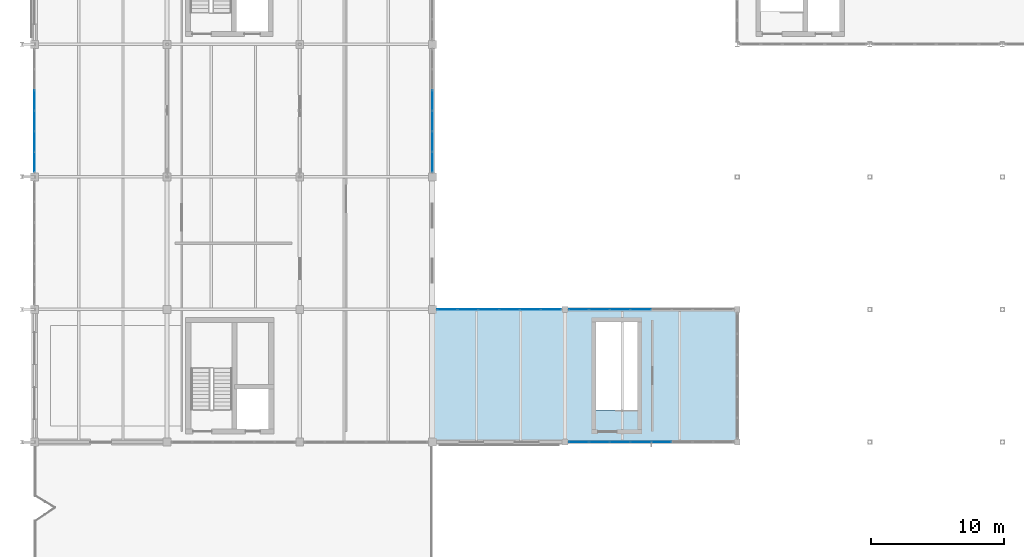
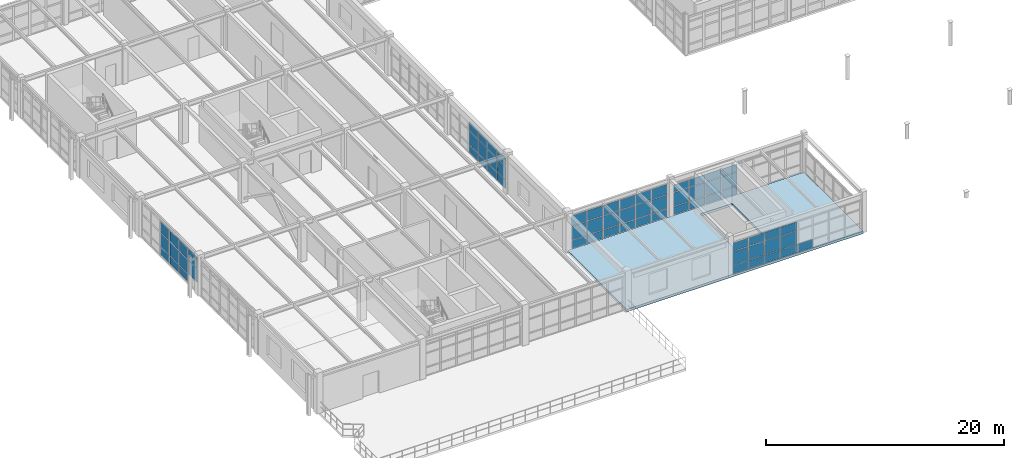
# One storey, part 74 of 122: 66 plates, 1 slab, 5 elements without a shape of their own.
"""IFC4 building model written with IfcOpenShell, lengths in metres."""

import ifcopenshell
import ifcopenshell.guid

model = None  # the IFC model being written
_history = None  # IfcOwnerHistory: only IFC2X3 demands one
_inside = {}  # id of a spatial element -> (the spatial element, [elements in it])
_under = {}  # id of a project, library or spatial element -> (it, [spatial elements below it])
_declared = {}  # id of a project -> (the project, [libraries it declares])
_typed = {}  # id of a type object -> (the type object, [elements of that type])
_made_of = {}  # id of a material, layer set ... -> (it, [elements and type objects made of it])


def new_model(schema):
    """Start an empty IFC model of exactly this schema.

    Asked for "IFC4X3", IfcOpenShell would pick the latest addendum, in which some entities
    have other attributes; the version numbers below select the first issue.
    IFC2X3 requires an IfcOwnerHistory on every rooted entity: one is made here for all.
    """
    global model, _history
    if schema == "IFC4X3":
        model = ifcopenshell.file(schema_version=(4, 3, 0, 0))
    else:
        model = ifcopenshell.file(schema=schema)
    _inside.clear()
    _under.clear()
    _declared.clear()
    _typed.clear()
    _made_of.clear()
    _history = None
    if model.schema == "IFC2X3":
        org = make("IfcOrganization", Name="unknown")
        user = make(
            "IfcPersonAndOrganization",
            ThePerson=make("IfcPerson", FamilyName="unknown"),
            TheOrganization=org,
        )
        app = make(
            "IfcApplication",
            ApplicationDeveloper=org,
            Version="unknown",
            ApplicationFullName="unknown",
            ApplicationIdentifier="unknown",
        )
        _history = make(
            "IfcOwnerHistory",
            OwningUser=user,
            OwningApplication=app,
            ChangeAction="ADDED",
            CreationDate=0,
        )
    return model


def make(cls, **values):
    """One entity of the class cls with the attributes given. An attribute that is None is left unset."""
    return model.create_entity(
        cls, **{name: value for name, value in values.items() if value is not None}
    )


def rooted(cls, **values):
    """An entity with a GlobalId (a new one), such as an element, a storey or a relation."""
    return make(cls, GlobalId=ifcopenshell.guid.new(), OwnerHistory=_history, **values)


def si_unit(unit_type, name, prefix=None):
    """IfcSIUnit, for example si_unit("LENGTHUNIT", "METRE", prefix="MILLI")."""
    return make("IfcSIUnit", UnitType=unit_type, Prefix=prefix, Name=name)


def assignment(units):
    """IfcUnitAssignment: the units of a project."""
    return None if units is None else make("IfcUnitAssignment", Units=units)


def point(xyz):
    """IfcCartesianPoint."""
    return None if xyz is None else make("IfcCartesianPoint", Coordinates=xyz)


def direction(xyz):
    """IfcDirection."""
    return None if xyz is None else make("IfcDirection", DirectionRatios=xyz)


def frame(location, z_axis=None, x_axis=None):
    """IfcAxis2Placement3D, a coordinate frame: its origin and axes. An axis left out is left unset."""
    return make(
        "IfcAxis2Placement3D",
        Location=point(location),
        Axis=direction(z_axis),
        RefDirection=direction(x_axis),
    )


def frame_2d(location, x_axis=None):
    """IfcAxis2Placement2D, a coordinate frame in the plane: its origin and x axis."""
    return make(
        "IfcAxis2Placement2D", Location=point(location), RefDirection=direction(x_axis)
    )


def origin():
    """The frame at (0, 0, 0) with its axes left unset."""
    return frame((0.0, 0.0, 0.0))


def origin_2d():
    """The frame at (0, 0) in the plane with its x axis left unset."""
    return frame_2d((0.0, 0.0))


def place(relative_to, where):
    """IfcLocalPlacement: puts the frame where relative to a parent placement (None: the world)."""
    return make(
        "IfcLocalPlacement", PlacementRelTo=relative_to, RelativePlacement=where
    )


def context(
    kind, dimensions, precision=None, world=None, true_north=None, identifier=None
):
    """IfcGeometricRepresentationContext, for example the 3D "Model" context."""
    return make(
        "IfcGeometricRepresentationContext",
        ContextIdentifier=identifier,
        ContextType=kind,
        CoordinateSpaceDimension=dimensions,
        Precision=precision,
        WorldCoordinateSystem=world,
        TrueNorth=true_north,
    )


def subcontext(parent, identifier, kind, view, scale=None):
    """IfcGeometricRepresentationSubContext, for example "Body" below "Model"."""
    return make(
        "IfcGeometricRepresentationSubContext",
        ContextIdentifier=identifier,
        ContextType=kind,
        ParentContext=parent,
        TargetScale=scale,
        TargetView=view,
    )


def project(units=None, contexts=None):
    """IfcProject with its units and contexts."""
    return rooted(
        "IfcProject",
        Name="project",
        RepresentationContexts=contexts,
        UnitsInContext=assignment(units),
    )


def spatial(cls, under=None, at=None, **own):
    """A site, building, storey or space (cls), placed at a placement, below another one or the project."""
    s = rooted(cls, ObjectPlacement=at, **own)
    if under is not None:
        _under.setdefault(under.id(), (under, []))[1].append(s)
    return s


def polyline(points):
    """IfcPolyline through the points."""
    return make("IfcPolyline", Points=[point(p) for p in points])


def profile(cls, at=None, kind="AREA", **sizes):
    """A parametric profile (cls). Its sizes go by their IFC names, for example OverallWidth=200.0."""
    return make(cls, ProfileType=kind, Position=at, **sizes)


def rectangle(**sizes):
    """IfcRectangleProfileDef."""
    return profile("IfcRectangleProfileDef", **sizes)


def outline(outer, holes=None, kind="AREA"):
    """IfcArbitraryClosedProfileDef: a profile drawn as a closed curve; with holes, ...WithVoids."""
    if holes is None:
        return make("IfcArbitraryClosedProfileDef", ProfileType=kind, OuterCurve=outer)
    return make(
        "IfcArbitraryProfileDefWithVoids",
        ProfileType=kind,
        OuterCurve=outer,
        InnerCurves=holes,
    )


def extrude(swept, where, along, depth):
    """IfcExtrudedAreaSolid: the profile swept, set in the frame where, extruded along a direction by depth."""
    return make(
        "IfcExtrudedAreaSolid",
        SweptArea=swept,
        Position=where,
        ExtrudedDirection=direction(along),
        Depth=depth,
    )


def shape(context_of_items, identifier, shape_type, items):
    """IfcShapeRepresentation: the items that make up one representation, for example the "Body"."""
    return make(
        "IfcShapeRepresentation",
        ContextOfItems=context_of_items,
        RepresentationIdentifier=identifier,
        RepresentationType=shape_type,
        Items=items,
    )


def material(Name=None, Category=None):
    """IfcMaterial."""
    return make("IfcMaterial", Name=Name, Category=Category)


def layer(
    of_material, thickness, ventilated=None, Name=None, Category=None, Priority=None
):
    """IfcMaterialLayer: one layer of a wall or slab, of a material (None: an air gap)."""
    return make(
        "IfcMaterialLayer",
        Material=of_material,
        LayerThickness=thickness,
        IsVentilated=ventilated,
        Name=Name,
        Category=Category,
        Priority=Priority,
    )


def layer_set(layers, Name=None):
    """IfcMaterialLayerSet."""
    return make("IfcMaterialLayerSet", MaterialLayers=layers, LayerSetName=Name)


def made_of(thing, what):
    """Note that an element or type object is made of a material, layer set ...; save() writes the relation."""
    if what is not None:
        _made_of.setdefault(what.id(), (what, []))[1].append(thing)
    return thing


def type_object(cls, material=None, **own):
    """A type object (cls), such as IfcWallType, which elements share."""
    return made_of(rooted(cls, **own), material)


def element(
    cls,
    number,
    at=None,
    inside=None,
    cuts=None,
    type_object=None,
    material=None,
    context=None,
    identifier="Body",
    shape_type=None,
    held_by="IfcProductDefinitionShape",
    body=None,
    shapes=None,
    **own,
):
    """One element of the class cls, such as IfcWall. Its Tag is "e" and its number.

    at: its placement. inside: the storey or other place that contains it. cuts: it is an
    opening in that element (IfcRelVoidsElement). A single representation is given by context,
    identifier, shape_type and body (its items); several are given by shapes. held_by: the class
    of the entity that holds the representations. save() writes the other relations.
    """
    e = rooted(cls, Tag="e%d" % number, ObjectPlacement=at, **own)
    if body is not None:
        shapes = [shape(context, identifier, shape_type, body)]
    if shapes is not None:
        e.Representation = make(held_by, Representations=shapes)
    if inside is not None:
        _inside.setdefault(inside.id(), (inside, []))[1].append(e)
    if cuts is not None:
        rooted(
            "IfcRelVoidsElement", RelatingBuildingElement=cuts, RelatedOpeningElement=e
        )
    if type_object is not None:
        _typed.setdefault(type_object.id(), (type_object, []))[1].append(e)
    return made_of(e, material)


def aggregate(whole, parts):
    """IfcRelAggregates: a whole, such as a stair, and the parts it consists of."""
    return rooted("IfcRelAggregates", RelatingObject=whole, RelatedObjects=parts)


def save(model, path):
    """Write the relations noted so far, then the file.

    IfcRelAggregates (storeys below a building ...), IfcRelContainedInSpatialStructure (elements
    in a storey), IfcRelDefinesByType, IfcRelAssociatesMaterial and IfcRelDeclares: one each for
    every whole, place, type object, material and project.
    """
    for whole, parts in _under.values():
        aggregate(whole, parts)
    for where, things in _inside.values():
        rooted(
            "IfcRelContainedInSpatialStructure",
            RelatedElements=things,
            RelatingStructure=where,
        )
    for kind, things in _typed.values():
        rooted("IfcRelDefinesByType", RelatedObjects=things, RelatingType=kind)
    for what, things in _made_of.values():
        rooted("IfcRelAssociatesMaterial", RelatedObjects=things, RelatingMaterial=what)
    for by, libraries in _declared.values():
        rooted("IfcRelDeclares", RelatingContext=by, RelatedDefinitions=libraries)
    model.write(path)


model = new_model("IFC4")

# Units and contexts
model_context = context("Model", 3, precision=1e-05, world=origin(), true_north=direction((0.0, 1.0)))
body_context = subcontext(model_context, "Body", "Model", "MODEL_VIEW")
ifc_project = project(units=[si_unit("LENGTHUNIT", "METRE"), si_unit("AREAUNIT", "SQUARE_METRE"), si_unit("VOLUMEUNIT", "CUBIC_METRE"), si_unit("PLANEANGLEUNIT", "RADIAN"), si_unit("MASSUNIT", "GRAM", prefix="KILO"), si_unit("THERMODYNAMICTEMPERATUREUNIT", "KELVIN"), si_unit("POWERUNIT", "WATT")], contexts=[model_context])

# Site, building, storey
site_placement = place(None, origin())
site = spatial("IfcSite", under=ifc_project, at=site_placement, CompositionType="ELEMENT")
building_placement = place(site_placement, origin())
building = spatial("IfcBuilding", under=site, at=building_placement, Name="Korenveer Ferry Terminal", CompositionType="ELEMENT")
storey_placement = place(building_placement, frame((0.0, 0.0, 10.199951171875)))
storey = spatial("IfcBuildingStorey", under=building, at=storey_placement, Name="L02", CompositionType="ELEMENT", Elevation=10.199951171875)

# Curtain wall, plates
ifc_material_1 = material(Name="Unitised bronze-and-glass curtain wall", Category="glass")
ifc_layer_1 = layer(ifc_material_1, 0.159912109375)
ifc_layer_set_1 = layer_set([ifc_layer_1], Name="Unitised bronze-and-glass curtain wall")
curtain_wall_type_1 = type_object("IfcCurtainWallType", Name="ENV-CW-84", PredefinedType="USERDEFINED", material=ifc_layer_set_1)
curtain_wall_1_placement = place(storey_placement, frame((40.2548828125, 20.0, 0.0)))
curtain_wall_1 = element("IfcCurtainWall", 1, at=curtain_wall_1_placement, inside=storey, type_object=curtain_wall_type_1, Name="Lancet curtain wall CWX-L02-X40-53-Y20-20", ObjectType="UNITISED CURTAIN WALL", PredefinedType="USERDEFINED")
ifc_material_2 = material(Name="Low-iron solar-control double glazing", Category="glass")
ifc_layer_2 = layer(ifc_material_2, 0.028076171875)
ifc_layer_set_2 = layer_set([ifc_layer_2], Name="Low-iron solar-control double glazing")
plate_type = type_object("IfcPlateType", Name="ENV-CWP-GLZ28", PredefinedType="CURTAIN_PANEL", material=ifc_layer_set_2)
plate_1_placement = place(storey_placement, frame((41.050537109375, 20.0, 0.06005859375), z_axis=(0.0, 0.0, 1.0), x_axis=(1.0, 0.0, 0.0)))
plate_1 = element("IfcPlate", 2, at=plate_1_placement, type_object=plate_type, Name="CW-84 panel 1.1", PredefinedType="CURTAIN_PANEL", context=body_context, shape_type="SweptSolid", body=[
    extrude(rectangle(XDim=1.47119140625, YDim=0.028076171875, at=origin_2d()), origin(), (0.0, 0.0, 1.0), 0.81005859375),
])
plate_2_placement = place(storey_placement, frame((41.050537109375, 20.0, 0.93017578125), z_axis=(0.0, 0.0, 1.0), x_axis=(1.0, 0.0, 0.0)))
plate_2 = element("IfcPlate", 3, at=plate_2_placement, type_object=plate_type, Name="CW-84 panel 1.2", PredefinedType="CURTAIN_PANEL", context=body_context, shape_type="SweptSolid", body=[
    extrude(rectangle(XDim=1.47119140625, YDim=0.028076171875, at=origin_2d()), origin(), (0.0, 0.0, 1.0), 1.389892578125),
])
plate_3_placement = place(storey_placement, frame((41.050537109375, 20.0, 2.3798828125), z_axis=(0.0, 0.0, 1.0), x_axis=(1.0, 0.0, 0.0)))
plate_3 = element("IfcPlate", 4, at=plate_3_placement, type_object=plate_type, Name="CW-84 panel 1.3", PredefinedType="CURTAIN_PANEL", context=body_context, shape_type="SweptSolid", body=[
    extrude(rectangle(XDim=1.47119140625, YDim=0.028076171875, at=origin_2d()), origin(), (0.0, 0.0, 1.0), 0.840087890625),
])
plate_4_placement = place(storey_placement, frame((42.596923828125, 20.0, 0.06005859375), z_axis=(0.0, 0.0, 1.0), x_axis=(1.0, 0.0, 0.0)))
plate_4 = element("IfcPlate", 5, at=plate_4_placement, type_object=plate_type, Name="CW-84 panel 2.1", PredefinedType="CURTAIN_PANEL", context=body_context, shape_type="SweptSolid", body=[
    extrude(rectangle(XDim=1.501220703125, YDim=0.028076171875, at=origin_2d()), origin(), (0.0, 0.0, 1.0), 0.81005859375),
])
plate_5_placement = place(storey_placement, frame((42.596923828125, 20.0, 0.93017578125), z_axis=(0.0, 0.0, 1.0), x_axis=(1.0, 0.0, 0.0)))
plate_5 = element("IfcPlate", 6, at=plate_5_placement, type_object=plate_type, Name="CW-84 panel 2.2", PredefinedType="CURTAIN_PANEL", context=body_context, shape_type="SweptSolid", body=[
    extrude(rectangle(XDim=1.501220703125, YDim=0.028076171875, at=origin_2d()), origin(), (0.0, 0.0, 1.0), 1.389892578125),
])
plate_6_placement = place(storey_placement, frame((42.596923828125, 20.0, 2.3798828125), z_axis=(0.0, 0.0, 1.0), x_axis=(1.0, 0.0, 0.0)))
plate_6 = element("IfcPlate", 7, at=plate_6_placement, type_object=plate_type, Name="CW-84 panel 2.3", PredefinedType="CURTAIN_PANEL", context=body_context, shape_type="SweptSolid", body=[
    extrude(rectangle(XDim=1.501220703125, YDim=0.028076171875, at=origin_2d()), origin(), (0.0, 0.0, 1.0), 0.840087890625),
])
plate_7_placement = place(storey_placement, frame((44.158203125, 20.0, 0.06005859375), z_axis=(0.0, 0.0, 1.0), x_axis=(1.0, 0.0, 0.0)))
plate_7 = element("IfcPlate", 8, at=plate_7_placement, type_object=plate_type, Name="CW-84 panel 3.1", PredefinedType="CURTAIN_PANEL", context=body_context, shape_type="SweptSolid", body=[
    extrude(rectangle(XDim=1.501220703125, YDim=0.028076171875, at=origin_2d()), origin(), (0.0, 0.0, 1.0), 0.81005859375),
])
plate_8_placement = place(storey_placement, frame((44.158203125, 20.0, 0.93017578125), z_axis=(0.0, 0.0, 1.0), x_axis=(1.0, 0.0, 0.0)))
plate_8 = element("IfcPlate", 9, at=plate_8_placement, type_object=plate_type, Name="CW-84 panel 3.2", PredefinedType="CURTAIN_PANEL", context=body_context, shape_type="SweptSolid", body=[
    extrude(rectangle(XDim=1.501220703125, YDim=0.028076171875, at=origin_2d()), origin(), (0.0, 0.0, 1.0), 1.389892578125),
])
plate_9_placement = place(storey_placement, frame((44.158203125, 20.0, 2.3798828125), z_axis=(0.0, 0.0, 1.0), x_axis=(1.0, 0.0, 0.0)))
plate_9 = element("IfcPlate", 10, at=plate_9_placement, type_object=plate_type, Name="CW-84 panel 3.3", PredefinedType="CURTAIN_PANEL", context=body_context, shape_type="SweptSolid", body=[
    extrude(rectangle(XDim=1.501220703125, YDim=0.028076171875, at=origin_2d()), origin(), (0.0, 0.0, 1.0), 0.840087890625),
])
plate_10_placement = place(storey_placement, frame((45.719482421875, 20.0, 0.06005859375), z_axis=(0.0, 0.0, 1.0), x_axis=(1.0, 0.0, 0.0)))
plate_10 = element("IfcPlate", 11, at=plate_10_placement, type_object=plate_type, Name="CW-84 panel 4.1", PredefinedType="CURTAIN_PANEL", context=body_context, shape_type="SweptSolid", body=[
    extrude(rectangle(XDim=1.501220703125, YDim=0.028076171875, at=origin_2d()), origin(), (0.0, 0.0, 1.0), 0.81005859375),
])
plate_11_placement = place(storey_placement, frame((45.719482421875, 20.0, 0.93017578125), z_axis=(0.0, 0.0, 1.0), x_axis=(1.0, 0.0, 0.0)))
plate_11 = element("IfcPlate", 12, at=plate_11_placement, type_object=plate_type, Name="CW-84 panel 4.2", PredefinedType="CURTAIN_PANEL", context=body_context, shape_type="SweptSolid", body=[
    extrude(rectangle(XDim=1.501220703125, YDim=0.028076171875, at=origin_2d()), origin(), (0.0, 0.0, 1.0), 1.389892578125),
])
plate_12_placement = place(storey_placement, frame((45.719482421875, 20.0, 2.3798828125), z_axis=(0.0, 0.0, 1.0), x_axis=(1.0, 0.0, 0.0)))
plate_12 = element("IfcPlate", 13, at=plate_12_placement, type_object=plate_type, Name="CW-84 panel 4.3", PredefinedType="CURTAIN_PANEL", context=body_context, shape_type="SweptSolid", body=[
    extrude(rectangle(XDim=1.501220703125, YDim=0.028076171875, at=origin_2d()), origin(), (0.0, 0.0, 1.0), 0.840087890625),
])
plate_13_placement = place(storey_placement, frame((47.280517578125, 20.0, 0.06005859375), z_axis=(0.0, 0.0, 1.0), x_axis=(1.0, 0.0, 0.0)))
plate_13 = element("IfcPlate", 14, at=plate_13_placement, type_object=plate_type, Name="CW-84 panel 5.1", PredefinedType="CURTAIN_PANEL", context=body_context, shape_type="SweptSolid", body=[
    extrude(rectangle(XDim=1.501220703125, YDim=0.028076171875, at=origin_2d()), origin(), (0.0, 0.0, 1.0), 0.81005859375),
])
aggregate(curtain_wall_1, [plate_1, plate_2, plate_3, plate_4, plate_5, plate_6, plate_7, plate_8, plate_9, plate_10, plate_11, plate_12, plate_13])

ifc_layer_3 = layer(ifc_material_1, 0.159912109375)
ifc_layer_set_3 = layer_set([ifc_layer_3], Name="Unitised bronze-and-glass curtain wall")
curtain_wall_type_2 = type_object("IfcCurtainWallType", Name="ENV-CW-88", PredefinedType="USERDEFINED", material=ifc_layer_set_3)
curtain_wall_2_placement = place(storey_placement, frame((30.330078125, 30.0, 0.0)))
curtain_wall_2 = element("IfcCurtainWall", 15, at=curtain_wall_2_placement, inside=storey, type_object=curtain_wall_type_2, Name="Lancet curtain wall CWX-L02-X30-40-Y30-30", ObjectType="UNITISED CURTAIN WALL", PredefinedType="USERDEFINED")
plate_14_placement = place(storey_placement, frame((31.129638671875, 30.0, 0.06005859375), z_axis=(0.0, 0.0, 1.0), x_axis=(1.0, 0.0, 0.0)))
plate_14 = element("IfcPlate", 16, at=plate_14_placement, type_object=plate_type, Name="CW-88 panel 1.1", PredefinedType="CURTAIN_PANEL", context=body_context, shape_type="SweptSolid", body=[
    extrude(rectangle(XDim=1.479248046875, YDim=0.028076171875, at=origin_2d()), origin(), (0.0, 0.0, 1.0), 0.81005859375),
])
plate_15_placement = place(storey_placement, frame((31.129638671875, 30.0, 0.93017578125), z_axis=(0.0, 0.0, 1.0), x_axis=(1.0, 0.0, 0.0)))
plate_15 = element("IfcPlate", 17, at=plate_15_placement, type_object=plate_type, Name="CW-88 panel 1.2", PredefinedType="CURTAIN_PANEL", context=body_context, shape_type="SweptSolid", body=[
    extrude(rectangle(XDim=1.479248046875, YDim=0.028076171875, at=origin_2d()), origin(), (0.0, 0.0, 1.0), 1.389892578125),
])
plate_16_placement = place(storey_placement, frame((31.129638671875, 30.0, 2.380126953125), z_axis=(0.0, 0.0, 1.0), x_axis=(1.0, 0.0, 0.0)))
plate_16 = element("IfcPlate", 18, at=plate_16_placement, type_object=plate_type, Name="CW-88 panel 1.3", PredefinedType="CURTAIN_PANEL", context=body_context, shape_type="SweptSolid", body=[
    extrude(rectangle(XDim=1.479248046875, YDim=0.028076171875, at=origin_2d()), origin(), (0.0, 0.0, 1.0), 1.0400390625),
])
plate_17_placement = place(storey_placement, frame((32.683837890625, 30.0, 0.06005859375), z_axis=(0.0, 0.0, 1.0), x_axis=(1.0, 0.0, 0.0)))
plate_17 = element("IfcPlate", 19, at=plate_17_placement, type_object=plate_type, Name="CW-88 panel 2.1", PredefinedType="CURTAIN_PANEL", context=body_context, shape_type="SweptSolid", body=[
    extrude(rectangle(XDim=1.50927734375, YDim=0.028076171875, at=origin_2d()), origin(), (0.0, 0.0, 1.0), 0.81005859375),
])
plate_18_placement = place(storey_placement, frame((32.683837890625, 30.0, 0.93017578125), z_axis=(0.0, 0.0, 1.0), x_axis=(1.0, 0.0, 0.0)))
plate_18 = element("IfcPlate", 20, at=plate_18_placement, type_object=plate_type, Name="CW-88 panel 2.2", PredefinedType="CURTAIN_PANEL", context=body_context, shape_type="SweptSolid", body=[
    extrude(rectangle(XDim=1.50927734375, YDim=0.028076171875, at=origin_2d()), origin(), (0.0, 0.0, 1.0), 1.389892578125),
])
plate_19_placement = place(storey_placement, frame((32.683837890625, 30.0, 2.380126953125), z_axis=(0.0, 0.0, 1.0), x_axis=(1.0, 0.0, 0.0)))
plate_19 = element("IfcPlate", 21, at=plate_19_placement, type_object=plate_type, Name="CW-88 panel 2.3", PredefinedType="CURTAIN_PANEL", context=body_context, shape_type="SweptSolid", body=[
    extrude(rectangle(XDim=1.50927734375, YDim=0.028076171875, at=origin_2d()), origin(), (0.0, 0.0, 1.0), 1.0400390625),
])
plate_20_placement = place(storey_placement, frame((34.2529296875, 30.0, 0.06005859375), z_axis=(0.0, 0.0, 1.0), x_axis=(1.0, 0.0, 0.0)))
plate_20 = element("IfcPlate", 22, at=plate_20_placement, type_object=plate_type, Name="CW-88 panel 3.1", PredefinedType="CURTAIN_PANEL", context=body_context, shape_type="SweptSolid", body=[
    extrude(rectangle(XDim=1.50927734375, YDim=0.028076171875, at=origin_2d()), origin(), (0.0, 0.0, 1.0), 0.81005859375),
])
plate_21_placement = place(storey_placement, frame((34.2529296875, 30.0, 0.93017578125), z_axis=(0.0, 0.0, 1.0), x_axis=(1.0, 0.0, 0.0)))
plate_21 = element("IfcPlate", 23, at=plate_21_placement, type_object=plate_type, Name="CW-88 panel 3.2", PredefinedType="CURTAIN_PANEL", context=body_context, shape_type="SweptSolid", body=[
    extrude(rectangle(XDim=1.50927734375, YDim=0.028076171875, at=origin_2d()), origin(), (0.0, 0.0, 1.0), 1.389892578125),
])
plate_22_placement = place(storey_placement, frame((34.2529296875, 30.0, 2.380126953125), z_axis=(0.0, 0.0, 1.0), x_axis=(1.0, 0.0, 0.0)))
plate_22 = element("IfcPlate", 24, at=plate_22_placement, type_object=plate_type, Name="CW-88 panel 3.3", PredefinedType="CURTAIN_PANEL", context=body_context, shape_type="SweptSolid", body=[
    extrude(rectangle(XDim=1.50927734375, YDim=0.028076171875, at=origin_2d()), origin(), (0.0, 0.0, 1.0), 1.0400390625),
])
plate_23_placement = place(storey_placement, frame((35.822021484375, 30.0, 0.06005859375), z_axis=(0.0, 0.0, 1.0), x_axis=(1.0, 0.0, 0.0)))
plate_23 = element("IfcPlate", 25, at=plate_23_placement, type_object=plate_type, Name="CW-88 panel 4.1", PredefinedType="CURTAIN_PANEL", context=body_context, shape_type="SweptSolid", body=[
    extrude(rectangle(XDim=1.50927734375, YDim=0.028076171875, at=origin_2d()), origin(), (0.0, 0.0, 1.0), 0.81005859375),
])
plate_24_placement = place(storey_placement, frame((35.822021484375, 30.0, 0.93017578125), z_axis=(0.0, 0.0, 1.0), x_axis=(1.0, 0.0, 0.0)))
plate_24 = element("IfcPlate", 26, at=plate_24_placement, type_object=plate_type, Name="CW-88 panel 4.2", PredefinedType="CURTAIN_PANEL", context=body_context, shape_type="SweptSolid", body=[
    extrude(rectangle(XDim=1.50927734375, YDim=0.028076171875, at=origin_2d()), origin(), (0.0, 0.0, 1.0), 1.389892578125),
])
plate_25_placement = place(storey_placement, frame((35.822021484375, 30.0, 2.380126953125), z_axis=(0.0, 0.0, 1.0), x_axis=(1.0, 0.0, 0.0)))
plate_25 = element("IfcPlate", 27, at=plate_25_placement, type_object=plate_type, Name="CW-88 panel 4.3", PredefinedType="CURTAIN_PANEL", context=body_context, shape_type="SweptSolid", body=[
    extrude(rectangle(XDim=1.50927734375, YDim=0.028076171875, at=origin_2d()), origin(), (0.0, 0.0, 1.0), 1.0400390625),
])
plate_26_placement = place(storey_placement, frame((37.391357421875, 30.0, 0.06005859375), z_axis=(0.0, 0.0, 1.0), x_axis=(1.0, 0.0, 0.0)))
plate_26 = element("IfcPlate", 28, at=plate_26_placement, type_object=plate_type, Name="CW-88 panel 5.1", PredefinedType="CURTAIN_PANEL", context=body_context, shape_type="SweptSolid", body=[
    extrude(rectangle(XDim=1.50927734375, YDim=0.028076171875, at=origin_2d()), origin(), (0.0, 0.0, 1.0), 0.81005859375),
])
plate_27_placement = place(storey_placement, frame((37.391357421875, 30.0, 0.93017578125), z_axis=(0.0, 0.0, 1.0), x_axis=(1.0, 0.0, 0.0)))
plate_27 = element("IfcPlate", 29, at=plate_27_placement, type_object=plate_type, Name="CW-88 panel 5.2", PredefinedType="CURTAIN_PANEL", context=body_context, shape_type="SweptSolid", body=[
    extrude(rectangle(XDim=1.50927734375, YDim=0.028076171875, at=origin_2d()), origin(), (0.0, 0.0, 1.0), 1.389892578125),
])
plate_28_placement = place(storey_placement, frame((37.391357421875, 30.0, 2.380126953125), z_axis=(0.0, 0.0, 1.0), x_axis=(1.0, 0.0, 0.0)))
plate_28 = element("IfcPlate", 30, at=plate_28_placement, type_object=plate_type, Name="CW-88 panel 5.3", PredefinedType="CURTAIN_PANEL", context=body_context, shape_type="SweptSolid", body=[
    extrude(rectangle(XDim=1.50927734375, YDim=0.028076171875, at=origin_2d()), origin(), (0.0, 0.0, 1.0), 1.0400390625),
])
plate_29_placement = place(storey_placement, frame((38.9453125, 30.0, 0.06005859375), z_axis=(0.0, 0.0, 1.0), x_axis=(1.0, 0.0, 0.0)))
plate_29 = element("IfcPlate", 31, at=plate_29_placement, type_object=plate_type, Name="CW-88 panel 6.1", PredefinedType="CURTAIN_PANEL", context=body_context, shape_type="SweptSolid", body=[
    extrude(rectangle(XDim=1.479248046875, YDim=0.028076171875, at=origin_2d()), origin(), (0.0, 0.0, 1.0), 0.81005859375),
])
plate_30_placement = place(storey_placement, frame((38.9453125, 30.0, 0.93017578125), z_axis=(0.0, 0.0, 1.0), x_axis=(1.0, 0.0, 0.0)))
plate_30 = element("IfcPlate", 32, at=plate_30_placement, type_object=plate_type, Name="CW-88 panel 6.2", PredefinedType="CURTAIN_PANEL", context=body_context, shape_type="SweptSolid", body=[
    extrude(rectangle(XDim=1.479248046875, YDim=0.028076171875, at=origin_2d()), origin(), (0.0, 0.0, 1.0), 1.389892578125),
])
plate_31_placement = place(storey_placement, frame((38.9453125, 30.0, 2.380126953125), z_axis=(0.0, 0.0, 1.0), x_axis=(1.0, 0.0, 0.0)))
plate_31 = element("IfcPlate", 33, at=plate_31_placement, type_object=plate_type, Name="CW-88 panel 6.3", PredefinedType="CURTAIN_PANEL", context=body_context, shape_type="SweptSolid", body=[
    extrude(rectangle(XDim=1.479248046875, YDim=0.028076171875, at=origin_2d()), origin(), (0.0, 0.0, 1.0), 1.0400390625),
])
aggregate(curtain_wall_2, [plate_14, plate_15, plate_16, plate_17, plate_18, plate_19, plate_20, plate_21, plate_22, plate_23, plate_24, plate_25, plate_26, plate_27, plate_28, plate_29, plate_30, plate_31])

ifc_layer_4 = layer(ifc_material_1, 0.159912109375)
ifc_layer_set_4 = layer_set([ifc_layer_4], Name="Unitised bronze-and-glass curtain wall")
curtain_wall_type_3 = type_object("IfcCurtainWallType", Name="ENV-CW-85", PredefinedType="USERDEFINED", material=ifc_layer_set_4)
curtain_wall_3_placement = place(storey_placement, frame((40.2548828125, 30.0, 0.0)))
curtain_wall_3 = element("IfcCurtainWall", 34, at=curtain_wall_3_placement, inside=storey, type_object=curtain_wall_type_3, Name="Lancet curtain wall CWX-L02-X40-53-Y30-30", ObjectType="UNITISED CURTAIN WALL", PredefinedType="USERDEFINED")
plate_32_placement = place(storey_placement, frame((41.050537109375, 30.0, 0.06005859375), z_axis=(0.0, 0.0, 1.0), x_axis=(1.0, 0.0, 0.0)))
plate_32 = element("IfcPlate", 35, at=plate_32_placement, type_object=plate_type, Name="CW-85 panel 1.1", PredefinedType="CURTAIN_PANEL", context=body_context, shape_type="SweptSolid", body=[
    extrude(rectangle(XDim=1.47119140625, YDim=0.028076171875, at=origin_2d()), origin(), (0.0, 0.0, 1.0), 0.81005859375),
])
plate_33_placement = place(storey_placement, frame((41.050537109375, 30.0, 0.93017578125), z_axis=(0.0, 0.0, 1.0), x_axis=(1.0, 0.0, 0.0)))
plate_33 = element("IfcPlate", 36, at=plate_33_placement, type_object=plate_type, Name="CW-85 panel 1.2", PredefinedType="CURTAIN_PANEL", context=body_context, shape_type="SweptSolid", body=[
    extrude(rectangle(XDim=1.47119140625, YDim=0.028076171875, at=origin_2d()), origin(), (0.0, 0.0, 1.0), 1.389892578125),
])
plate_34_placement = place(storey_placement, frame((41.050537109375, 30.0, 2.3798828125), z_axis=(0.0, 0.0, 1.0), x_axis=(1.0, 0.0, 0.0)))
plate_34 = element("IfcPlate", 37, at=plate_34_placement, type_object=plate_type, Name="CW-85 panel 1.3", PredefinedType="CURTAIN_PANEL", context=body_context, shape_type="SweptSolid", body=[
    extrude(rectangle(XDim=1.47119140625, YDim=0.028076171875, at=origin_2d()), origin(), (0.0, 0.0, 1.0), 0.739990234375),
])
plate_35_placement = place(storey_placement, frame((42.596923828125, 30.0, 0.06005859375), z_axis=(0.0, 0.0, 1.0), x_axis=(1.0, 0.0, 0.0)))
plate_35 = element("IfcPlate", 38, at=plate_35_placement, type_object=plate_type, Name="CW-85 panel 2.1", PredefinedType="CURTAIN_PANEL", context=body_context, shape_type="SweptSolid", body=[
    extrude(rectangle(XDim=1.501220703125, YDim=0.028076171875, at=origin_2d()), origin(), (0.0, 0.0, 1.0), 0.81005859375),
])
plate_36_placement = place(storey_placement, frame((42.596923828125, 30.0, 0.93017578125), z_axis=(0.0, 0.0, 1.0), x_axis=(1.0, 0.0, 0.0)))
plate_36 = element("IfcPlate", 39, at=plate_36_placement, type_object=plate_type, Name="CW-85 panel 2.2", PredefinedType="CURTAIN_PANEL", context=body_context, shape_type="SweptSolid", body=[
    extrude(rectangle(XDim=1.501220703125, YDim=0.028076171875, at=origin_2d()), origin(), (0.0, 0.0, 1.0), 1.389892578125),
])
plate_37_placement = place(storey_placement, frame((42.596923828125, 30.0, 2.3798828125), z_axis=(0.0, 0.0, 1.0), x_axis=(1.0, 0.0, 0.0)))
plate_37 = element("IfcPlate", 40, at=plate_37_placement, type_object=plate_type, Name="CW-85 panel 2.3", PredefinedType="CURTAIN_PANEL", context=body_context, shape_type="SweptSolid", body=[
    extrude(rectangle(XDim=1.501220703125, YDim=0.028076171875, at=origin_2d()), origin(), (0.0, 0.0, 1.0), 0.739990234375),
])
plate_38_placement = place(storey_placement, frame((44.158203125, 30.0, 0.06005859375), z_axis=(0.0, 0.0, 1.0), x_axis=(1.0, 0.0, 0.0)))
plate_38 = element("IfcPlate", 41, at=plate_38_placement, type_object=plate_type, Name="CW-85 panel 3.1", PredefinedType="CURTAIN_PANEL", context=body_context, shape_type="SweptSolid", body=[
    extrude(rectangle(XDim=1.501220703125, YDim=0.028076171875, at=origin_2d()), origin(), (0.0, 0.0, 1.0), 0.81005859375),
])
plate_39_placement = place(storey_placement, frame((44.158203125, 30.0, 0.93017578125), z_axis=(0.0, 0.0, 1.0), x_axis=(1.0, 0.0, 0.0)))
plate_39 = element("IfcPlate", 42, at=plate_39_placement, type_object=plate_type, Name="CW-85 panel 3.2", PredefinedType="CURTAIN_PANEL", context=body_context, shape_type="SweptSolid", body=[
    extrude(rectangle(XDim=1.501220703125, YDim=0.028076171875, at=origin_2d()), origin(), (0.0, 0.0, 1.0), 1.389892578125),
])
plate_40_placement = place(storey_placement, frame((44.158203125, 30.0, 2.3798828125), z_axis=(0.0, 0.0, 1.0), x_axis=(1.0, 0.0, 0.0)))
plate_40 = element("IfcPlate", 43, at=plate_40_placement, type_object=plate_type, Name="CW-85 panel 3.3", PredefinedType="CURTAIN_PANEL", context=body_context, shape_type="SweptSolid", body=[
    extrude(rectangle(XDim=1.501220703125, YDim=0.028076171875, at=origin_2d()), origin(), (0.0, 0.0, 1.0), 0.739990234375),
])
plate_41_placement = place(storey_placement, frame((45.719482421875, 30.0, 0.06005859375), z_axis=(0.0, 0.0, 1.0), x_axis=(1.0, 0.0, 0.0)))
plate_41 = element("IfcPlate", 44, at=plate_41_placement, type_object=plate_type, Name="CW-85 panel 4.1", PredefinedType="CURTAIN_PANEL", context=body_context, shape_type="SweptSolid", body=[
    extrude(rectangle(XDim=1.501220703125, YDim=0.028076171875, at=origin_2d()), origin(), (0.0, 0.0, 1.0), 0.81005859375),
])
plate_42_placement = place(storey_placement, frame((45.719482421875, 30.0, 0.93017578125), z_axis=(0.0, 0.0, 1.0), x_axis=(1.0, 0.0, 0.0)))
plate_42 = element("IfcPlate", 45, at=plate_42_placement, type_object=plate_type, Name="CW-85 panel 4.2", PredefinedType="CURTAIN_PANEL", context=body_context, shape_type="SweptSolid", body=[
    extrude(rectangle(XDim=1.501220703125, YDim=0.028076171875, at=origin_2d()), origin(), (0.0, 0.0, 1.0), 1.389892578125),
])
plate_43_placement = place(storey_placement, frame((45.719482421875, 30.0, 2.3798828125), z_axis=(0.0, 0.0, 1.0), x_axis=(1.0, 0.0, 0.0)))
plate_43 = element("IfcPlate", 46, at=plate_43_placement, type_object=plate_type, Name="CW-85 panel 4.3", PredefinedType="CURTAIN_PANEL", context=body_context, shape_type="SweptSolid", body=[
    extrude(rectangle(XDim=1.501220703125, YDim=0.028076171875, at=origin_2d()), origin(), (0.0, 0.0, 1.0), 0.739990234375),
])
aggregate(curtain_wall_3, [plate_32, plate_33, plate_34, plate_35, plate_36, plate_37, plate_38, plate_39, plate_40, plate_41, plate_42, plate_43])

ifc_layer_5 = layer(ifc_material_1, 0.159912109375)
ifc_layer_set_5 = layer_set([ifc_layer_5], Name="Unitised bronze-and-glass curtain wall")
curtain_wall_type_4 = type_object("IfcCurtainWallType", Name="ENV-CW-105", PredefinedType="USERDEFINED", material=ifc_layer_set_5)
curtain_wall_4_placement = place(storey_placement, frame((0.0, 40.330078125, 0.0)))
curtain_wall_4 = element("IfcCurtainWall", 47, at=curtain_wall_4_placement, inside=storey, type_object=curtain_wall_type_4, Name="Lancet curtain wall CWX-L02-X0-0-Y40-50", ObjectType="UNITISED CURTAIN WALL", PredefinedType="USERDEFINED")
plate_44_placement = place(storey_placement, frame((0.0, 41.123291015625, 0.93017578125), z_axis=(0.0, 0.0, 1.0), x_axis=(0.0, 1.0, 0.0)))
plate_44 = element("IfcPlate", 48, at=plate_44_placement, type_object=plate_type, Name="CW-105 panel 1.2", PredefinedType="CURTAIN_PANEL", context=body_context, shape_type="SweptSolid", body=[
    extrude(rectangle(XDim=1.466552734375, YDim=0.028076171875, at=origin_2d()), origin(), (0.0, 0.0, 1.0), 1.389892578125),
])
plate_45_placement = place(storey_placement, frame((0.0, 41.123291015625, 2.380126953125), z_axis=(0.0, 0.0, 1.0), x_axis=(0.0, 1.0, 0.0)))
plate_45 = element("IfcPlate", 49, at=plate_45_placement, type_object=plate_type, Name="CW-105 panel 1.3", PredefinedType="CURTAIN_PANEL", context=body_context, shape_type="SweptSolid", body=[
    extrude(rectangle(XDim=1.466552734375, YDim=0.028076171875, at=origin_2d()), origin(), (0.0, 0.0, 1.0), 1.1298828125),
])
plate_46_placement = place(storey_placement, frame((0.0, 42.6650390625, 0.06005859375), z_axis=(0.0, 0.0, 1.0), x_axis=(0.0, 1.0, 0.0)))
plate_46 = element("IfcPlate", 50, at=plate_46_placement, type_object=plate_type, Name="CW-105 panel 2.1", PredefinedType="CURTAIN_PANEL", context=body_context, shape_type="SweptSolid", body=[
    extrude(rectangle(XDim=1.49658203125, YDim=0.028076171875, at=origin_2d()), origin(), (0.0, 0.0, 1.0), 0.81005859375),
])
plate_47_placement = place(storey_placement, frame((0.0, 42.6650390625, 0.93017578125), z_axis=(0.0, 0.0, 1.0), x_axis=(0.0, 1.0, 0.0)))
plate_47 = element("IfcPlate", 51, at=plate_47_placement, type_object=plate_type, Name="CW-105 panel 2.2", PredefinedType="CURTAIN_PANEL", context=body_context, shape_type="SweptSolid", body=[
    extrude(rectangle(XDim=1.49658203125, YDim=0.028076171875, at=origin_2d()), origin(), (0.0, 0.0, 1.0), 1.389892578125),
])
plate_48_placement = place(storey_placement, frame((0.0, 42.6650390625, 2.380126953125), z_axis=(0.0, 0.0, 1.0), x_axis=(0.0, 1.0, 0.0)))
plate_48 = element("IfcPlate", 52, at=plate_48_placement, type_object=plate_type, Name="CW-105 panel 2.3", PredefinedType="CURTAIN_PANEL", context=body_context, shape_type="SweptSolid", body=[
    extrude(rectangle(XDim=1.49658203125, YDim=0.028076171875, at=origin_2d()), origin(), (0.0, 0.0, 1.0), 1.1298828125),
])
plate_49_placement = place(storey_placement, frame((0.0, 44.2216796875, 0.06005859375), z_axis=(0.0, 0.0, 1.0), x_axis=(0.0, 1.0, 0.0)))
plate_49 = element("IfcPlate", 53, at=plate_49_placement, type_object=plate_type, Name="CW-105 panel 3.1", PredefinedType="CURTAIN_PANEL", context=body_context, shape_type="SweptSolid", body=[
    extrude(rectangle(XDim=1.49658203125, YDim=0.028076171875, at=origin_2d()), origin(), (0.0, 0.0, 1.0), 0.81005859375),
])
plate_50_placement = place(storey_placement, frame((0.0, 44.2216796875, 0.93017578125), z_axis=(0.0, 0.0, 1.0), x_axis=(0.0, 1.0, 0.0)))
plate_50 = element("IfcPlate", 54, at=plate_50_placement, type_object=plate_type, Name="CW-105 panel 3.2", PredefinedType="CURTAIN_PANEL", context=body_context, shape_type="SweptSolid", body=[
    extrude(rectangle(XDim=1.49658203125, YDim=0.028076171875, at=origin_2d()), origin(), (0.0, 0.0, 1.0), 1.389892578125),
])
plate_51_placement = place(storey_placement, frame((0.0, 44.2216796875, 2.380126953125), z_axis=(0.0, 0.0, 1.0), x_axis=(0.0, 1.0, 0.0)))
plate_51 = element("IfcPlate", 55, at=plate_51_placement, type_object=plate_type, Name="CW-105 panel 3.3", PredefinedType="CURTAIN_PANEL", context=body_context, shape_type="SweptSolid", body=[
    extrude(rectangle(XDim=1.49658203125, YDim=0.028076171875, at=origin_2d()), origin(), (0.0, 0.0, 1.0), 1.1298828125),
])
plate_52_placement = place(storey_placement, frame((0.0, 45.7783203125, 0.06005859375), z_axis=(0.0, 0.0, 1.0), x_axis=(0.0, 1.0, 0.0)))
plate_52 = element("IfcPlate", 56, at=plate_52_placement, type_object=plate_type, Name="CW-105 panel 4.1", PredefinedType="CURTAIN_PANEL", context=body_context, shape_type="SweptSolid", body=[
    extrude(rectangle(XDim=1.49658203125, YDim=0.028076171875, at=origin_2d()), origin(), (0.0, 0.0, 1.0), 0.81005859375),
])
plate_53_placement = place(storey_placement, frame((0.0, 45.7783203125, 0.93017578125), z_axis=(0.0, 0.0, 1.0), x_axis=(0.0, 1.0, 0.0)))
plate_53 = element("IfcPlate", 57, at=plate_53_placement, type_object=plate_type, Name="CW-105 panel 4.2", PredefinedType="CURTAIN_PANEL", context=body_context, shape_type="SweptSolid", body=[
    extrude(rectangle(XDim=1.49658203125, YDim=0.028076171875, at=origin_2d()), origin(), (0.0, 0.0, 1.0), 1.389892578125),
])
plate_54_placement = place(storey_placement, frame((0.0, 45.7783203125, 2.380126953125), z_axis=(0.0, 0.0, 1.0), x_axis=(0.0, 1.0, 0.0)))
plate_54 = element("IfcPlate", 58, at=plate_54_placement, type_object=plate_type, Name="CW-105 panel 4.3", PredefinedType="CURTAIN_PANEL", context=body_context, shape_type="SweptSolid", body=[
    extrude(rectangle(XDim=1.49658203125, YDim=0.028076171875, at=origin_2d()), origin(), (0.0, 0.0, 1.0), 1.1298828125),
])
aggregate(curtain_wall_4, [plate_44, plate_45, plate_46, plate_47, plate_48, plate_49, plate_50, plate_51, plate_52, plate_53, plate_54])

ifc_layer_6 = layer(ifc_material_1, 0.159912109375)
ifc_layer_set_6 = layer_set([ifc_layer_6], Name="Unitised bronze-and-glass curtain wall")
curtain_wall_type_5 = type_object("IfcCurtainWallType", Name="ENV-CW-108", PredefinedType="USERDEFINED", material=ifc_layer_set_6)
curtain_wall_5_placement = place(storey_placement, frame((30.0, 49.669921875, 0.0)))
curtain_wall_5 = element("IfcCurtainWall", 59, at=curtain_wall_5_placement, inside=storey, type_object=curtain_wall_type_5, Name="Lancet curtain wall CWX-L02-X30-30-Y40-50", ObjectType="UNITISED CURTAIN WALL", PredefinedType="USERDEFINED")
plate_55_placement = place(storey_placement, frame((30.0, 45.7783203125, 0.06005859375), z_axis=(0.0, 0.0, 1.0), x_axis=(0.0, -1.0, 0.0)))
plate_55 = element("IfcPlate", 60, at=plate_55_placement, type_object=plate_type, Name="CW-108 panel 3.1", PredefinedType="CURTAIN_PANEL", context=body_context, shape_type="SweptSolid", body=[
    extrude(rectangle(XDim=1.49658203125, YDim=0.028076171875, at=origin_2d()), origin(), (0.0, 0.0, 1.0), 0.81005859375),
])
plate_56_placement = place(storey_placement, frame((30.0, 45.7783203125, 0.93017578125), z_axis=(0.0, 0.0, 1.0), x_axis=(0.0, -1.0, 0.0)))
plate_56 = element("IfcPlate", 61, at=plate_56_placement, type_object=plate_type, Name="CW-108 panel 3.2", PredefinedType="CURTAIN_PANEL", context=body_context, shape_type="SweptSolid", body=[
    extrude(rectangle(XDim=1.49658203125, YDim=0.028076171875, at=origin_2d()), origin(), (0.0, 0.0, 1.0), 1.389892578125),
])
plate_57_placement = place(storey_placement, frame((30.0, 45.7783203125, 2.380126953125), z_axis=(0.0, 0.0, 1.0), x_axis=(0.0, -1.0, 0.0)))
plate_57 = element("IfcPlate", 62, at=plate_57_placement, type_object=plate_type, Name="CW-108 panel 3.3", PredefinedType="CURTAIN_PANEL", context=body_context, shape_type="SweptSolid", body=[
    extrude(rectangle(XDim=1.49658203125, YDim=0.028076171875, at=origin_2d()), origin(), (0.0, 0.0, 1.0), 0.830078125),
])
plate_58_placement = place(storey_placement, frame((30.0, 44.2216796875, 0.06005859375), z_axis=(0.0, 0.0, 1.0), x_axis=(0.0, -1.0, 0.0)))
plate_58 = element("IfcPlate", 63, at=plate_58_placement, type_object=plate_type, Name="CW-108 panel 4.1", PredefinedType="CURTAIN_PANEL", context=body_context, shape_type="SweptSolid", body=[
    extrude(rectangle(XDim=1.49658203125, YDim=0.028076171875, at=origin_2d()), origin(), (0.0, 0.0, 1.0), 0.81005859375),
])
plate_59_placement = place(storey_placement, frame((30.0, 44.2216796875, 0.93017578125), z_axis=(0.0, 0.0, 1.0), x_axis=(0.0, -1.0, 0.0)))
plate_59 = element("IfcPlate", 64, at=plate_59_placement, type_object=plate_type, Name="CW-108 panel 4.2", PredefinedType="CURTAIN_PANEL", context=body_context, shape_type="SweptSolid", body=[
    extrude(rectangle(XDim=1.49658203125, YDim=0.028076171875, at=origin_2d()), origin(), (0.0, 0.0, 1.0), 1.389892578125),
])
plate_60_placement = place(storey_placement, frame((30.0, 44.2216796875, 2.380126953125), z_axis=(0.0, 0.0, 1.0), x_axis=(0.0, -1.0, 0.0)))
plate_60 = element("IfcPlate", 65, at=plate_60_placement, type_object=plate_type, Name="CW-108 panel 4.3", PredefinedType="CURTAIN_PANEL", context=body_context, shape_type="SweptSolid", body=[
    extrude(rectangle(XDim=1.49658203125, YDim=0.028076171875, at=origin_2d()), origin(), (0.0, 0.0, 1.0), 0.830078125),
])
plate_61_placement = place(storey_placement, frame((30.0, 42.6650390625, 0.06005859375), z_axis=(0.0, 0.0, 1.0), x_axis=(0.0, -1.0, 0.0)))
plate_61 = element("IfcPlate", 66, at=plate_61_placement, type_object=plate_type, Name="CW-108 panel 5.1", PredefinedType="CURTAIN_PANEL", context=body_context, shape_type="SweptSolid", body=[
    extrude(rectangle(XDim=1.49658203125, YDim=0.028076171875, at=origin_2d()), origin(), (0.0, 0.0, 1.0), 0.81005859375),
])
plate_62_placement = place(storey_placement, frame((30.0, 42.6650390625, 0.93017578125), z_axis=(0.0, 0.0, 1.0), x_axis=(0.0, -1.0, 0.0)))
plate_62 = element("IfcPlate", 67, at=plate_62_placement, type_object=plate_type, Name="CW-108 panel 5.2", PredefinedType="CURTAIN_PANEL", context=body_context, shape_type="SweptSolid", body=[
    extrude(rectangle(XDim=1.49658203125, YDim=0.028076171875, at=origin_2d()), origin(), (0.0, 0.0, 1.0), 1.389892578125),
])
plate_63_placement = place(storey_placement, frame((30.0, 42.6650390625, 2.380126953125), z_axis=(0.0, 0.0, 1.0), x_axis=(0.0, -1.0, 0.0)))
plate_63 = element("IfcPlate", 68, at=plate_63_placement, type_object=plate_type, Name="CW-108 panel 5.3", PredefinedType="CURTAIN_PANEL", context=body_context, shape_type="SweptSolid", body=[
    extrude(rectangle(XDim=1.49658203125, YDim=0.028076171875, at=origin_2d()), origin(), (0.0, 0.0, 1.0), 0.830078125),
])
plate_64_placement = place(storey_placement, frame((30.0, 41.123291015625, 0.06005859375), z_axis=(0.0, 0.0, 1.0), x_axis=(0.0, -1.0, 0.0)))
plate_64 = element("IfcPlate", 69, at=plate_64_placement, type_object=plate_type, Name="CW-108 panel 6.1", PredefinedType="CURTAIN_PANEL", context=body_context, shape_type="SweptSolid", body=[
    extrude(rectangle(XDim=1.466552734375, YDim=0.028076171875, at=origin_2d()), origin(), (0.0, 0.0, 1.0), 0.81005859375),
])
plate_65_placement = place(storey_placement, frame((30.0, 41.123291015625, 0.93017578125), z_axis=(0.0, 0.0, 1.0), x_axis=(0.0, -1.0, 0.0)))
plate_65 = element("IfcPlate", 70, at=plate_65_placement, type_object=plate_type, Name="CW-108 panel 6.2", PredefinedType="CURTAIN_PANEL", context=body_context, shape_type="SweptSolid", body=[
    extrude(rectangle(XDim=1.466552734375, YDim=0.028076171875, at=origin_2d()), origin(), (0.0, 0.0, 1.0), 1.389892578125),
])
plate_66_placement = place(storey_placement, frame((30.0, 41.123291015625, 2.380126953125), z_axis=(0.0, 0.0, 1.0), x_axis=(0.0, -1.0, 0.0)))
plate_66 = element("IfcPlate", 71, at=plate_66_placement, type_object=plate_type, Name="CW-108 panel 6.3", PredefinedType="CURTAIN_PANEL", context=body_context, shape_type="SweptSolid", body=[
    extrude(rectangle(XDim=1.466552734375, YDim=0.028076171875, at=origin_2d()), origin(), (0.0, 0.0, 1.0), 0.830078125),
])
aggregate(curtain_wall_5, [plate_55, plate_56, plate_57, plate_58, plate_59, plate_60, plate_61, plate_62, plate_63, plate_64, plate_65, plate_66])

# Slab
ifc_material_3 = material(Name="Concrete C35/45", Category="concrete")
ifc_layer_7 = layer(ifc_material_3, 0.25)
ifc_layer_set_7 = layer_set([ifc_layer_7], Name="Concrete C35/45")
slab_type = type_object("IfcSlabType", Name="STR-SL-FLR250", PredefinedType="FLOOR", material=ifc_layer_set_7)
slab_placement = place(storey_placement, frame((0.0, 0.0, -0.25)))
element("IfcSlab", 72, at=slab_placement, inside=storey, type_object=slab_type, Name="Floor slab SL-L02-ARW", PredefinedType="FLOOR", context=body_context, shape_type="SweptSolid", body=[
    extrude(outline(polyline([(30.0, 20.0), (53.0, 20.0), (53.0, 30.0), (30.0, 30.0), (30.0, 20.0)]), holes=[polyline([(45.4599609375, 22.409912109375), (45.4599609375, 29.0400390625), (42.360107421875, 29.0400390625), (42.360107421875, 22.409912109375), (45.4599609375, 22.409912109375)])]), origin(), (0.0, 0.0, 1.0), 0.25),
])

save(model, "model.ifc")
